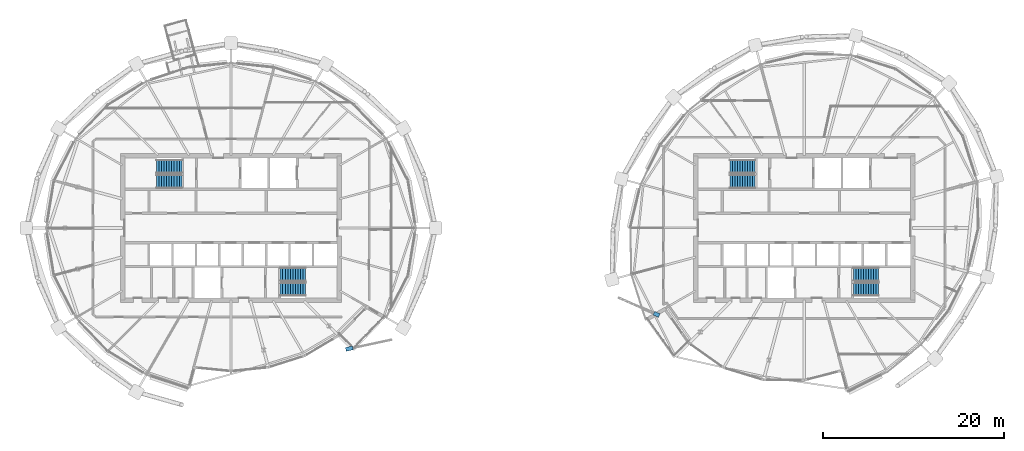
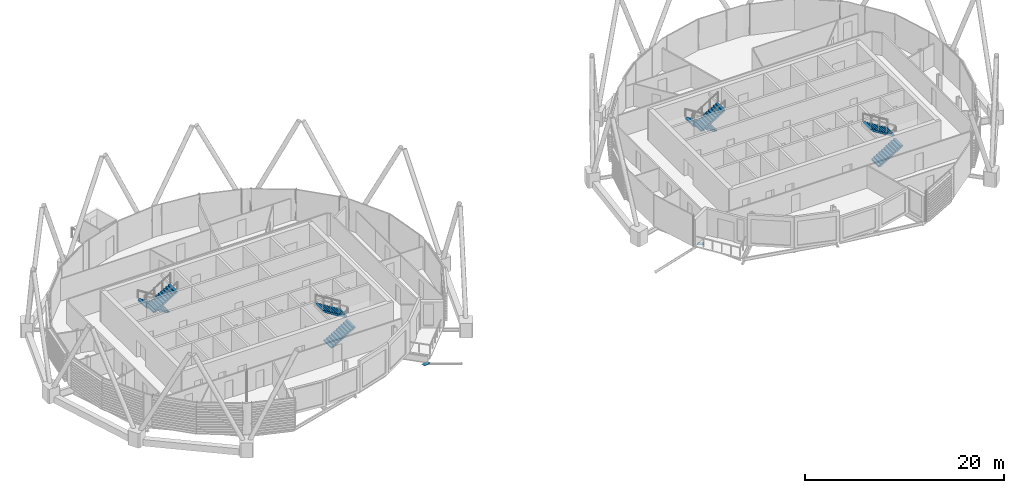
# One storey, part 25 of 32: 8 stair flights, 2 discrete accessories, 4 elements without a shape of their own.
"""IFC4 building model written with IfcOpenShell, lengths in metres."""

import ifcopenshell
import ifcopenshell.guid

model = None  # the IFC model being written
_history = None  # IfcOwnerHistory: only IFC2X3 demands one
_inside = {}  # id of a spatial element -> (the spatial element, [elements in it])
_under = {}  # id of a project, library or spatial element -> (it, [spatial elements below it])
_declared = {}  # id of a project -> (the project, [libraries it declares])
_typed = {}  # id of a type object -> (the type object, [elements of that type])
_made_of = {}  # id of a material, layer set ... -> (it, [elements and type objects made of it])


def new_model(schema):
    """Start an empty IFC model of exactly this schema.

    Asked for "IFC4X3", IfcOpenShell would pick the latest addendum, in which some entities
    have other attributes; the version numbers below select the first issue.
    IFC2X3 requires an IfcOwnerHistory on every rooted entity: one is made here for all.
    """
    global model, _history
    if schema == "IFC4X3":
        model = ifcopenshell.file(schema_version=(4, 3, 0, 0))
    else:
        model = ifcopenshell.file(schema=schema)
    _inside.clear()
    _under.clear()
    _declared.clear()
    _typed.clear()
    _made_of.clear()
    _history = None
    if model.schema == "IFC2X3":
        org = make("IfcOrganization", Name="unknown")
        user = make(
            "IfcPersonAndOrganization",
            ThePerson=make("IfcPerson", FamilyName="unknown"),
            TheOrganization=org,
        )
        app = make(
            "IfcApplication",
            ApplicationDeveloper=org,
            Version="unknown",
            ApplicationFullName="unknown",
            ApplicationIdentifier="unknown",
        )
        _history = make(
            "IfcOwnerHistory",
            OwningUser=user,
            OwningApplication=app,
            ChangeAction="ADDED",
            CreationDate=0,
        )
    return model


def make(cls, **values):
    """One entity of the class cls with the attributes given. An attribute that is None is left unset."""
    return model.create_entity(
        cls, **{name: value for name, value in values.items() if value is not None}
    )


def rooted(cls, **values):
    """An entity with a GlobalId (a new one), such as an element, a storey or a relation."""
    return make(cls, GlobalId=ifcopenshell.guid.new(), OwnerHistory=_history, **values)


def si_unit(unit_type, name, prefix=None):
    """IfcSIUnit, for example si_unit("LENGTHUNIT", "METRE", prefix="MILLI")."""
    return make("IfcSIUnit", UnitType=unit_type, Prefix=prefix, Name=name)


def assignment(units):
    """IfcUnitAssignment: the units of a project."""
    return None if units is None else make("IfcUnitAssignment", Units=units)


def point(xyz):
    """IfcCartesianPoint."""
    return None if xyz is None else make("IfcCartesianPoint", Coordinates=xyz)


def direction(xyz):
    """IfcDirection."""
    return None if xyz is None else make("IfcDirection", DirectionRatios=xyz)


def frame(location, z_axis=None, x_axis=None):
    """IfcAxis2Placement3D, a coordinate frame: its origin and axes. An axis left out is left unset."""
    return make(
        "IfcAxis2Placement3D",
        Location=point(location),
        Axis=direction(z_axis),
        RefDirection=direction(x_axis),
    )


def frame_2d(location, x_axis=None):
    """IfcAxis2Placement2D, a coordinate frame in the plane: its origin and x axis."""
    return make(
        "IfcAxis2Placement2D", Location=point(location), RefDirection=direction(x_axis)
    )


def origin():
    """The frame at (0, 0, 0) with its axes left unset."""
    return frame((0.0, 0.0, 0.0))


def origin_2d():
    """The frame at (0, 0) in the plane with its x axis left unset."""
    return frame_2d((0.0, 0.0))


def place(relative_to, where):
    """IfcLocalPlacement: puts the frame where relative to a parent placement (None: the world)."""
    return make(
        "IfcLocalPlacement", PlacementRelTo=relative_to, RelativePlacement=where
    )


def context(
    kind, dimensions, precision=None, world=None, true_north=None, identifier=None
):
    """IfcGeometricRepresentationContext, for example the 3D "Model" context."""
    return make(
        "IfcGeometricRepresentationContext",
        ContextIdentifier=identifier,
        ContextType=kind,
        CoordinateSpaceDimension=dimensions,
        Precision=precision,
        WorldCoordinateSystem=world,
        TrueNorth=true_north,
    )


def subcontext(parent, identifier, kind, view, scale=None):
    """IfcGeometricRepresentationSubContext, for example "Body" below "Model"."""
    return make(
        "IfcGeometricRepresentationSubContext",
        ContextIdentifier=identifier,
        ContextType=kind,
        ParentContext=parent,
        TargetScale=scale,
        TargetView=view,
    )


def project(units=None, contexts=None):
    """IfcProject with its units and contexts."""
    return rooted(
        "IfcProject",
        Name="project",
        RepresentationContexts=contexts,
        UnitsInContext=assignment(units),
    )


def spatial(cls, under=None, at=None, **own):
    """A site, building, storey or space (cls), placed at a placement, below another one or the project."""
    s = rooted(cls, ObjectPlacement=at, **own)
    if under is not None:
        _under.setdefault(under.id(), (under, []))[1].append(s)
    return s


def polyline(points):
    """IfcPolyline through the points."""
    return make("IfcPolyline", Points=[point(p) for p in points])


def profile(cls, at=None, kind="AREA", **sizes):
    """A parametric profile (cls). Its sizes go by their IFC names, for example OverallWidth=200.0."""
    return make(cls, ProfileType=kind, Position=at, **sizes)


def rectangle(**sizes):
    """IfcRectangleProfileDef."""
    return profile("IfcRectangleProfileDef", **sizes)


def outline(outer, holes=None, kind="AREA"):
    """IfcArbitraryClosedProfileDef: a profile drawn as a closed curve; with holes, ...WithVoids."""
    if holes is None:
        return make("IfcArbitraryClosedProfileDef", ProfileType=kind, OuterCurve=outer)
    return make(
        "IfcArbitraryProfileDefWithVoids",
        ProfileType=kind,
        OuterCurve=outer,
        InnerCurves=holes,
    )


def extrude(swept, where, along, depth):
    """IfcExtrudedAreaSolid: the profile swept, set in the frame where, extruded along a direction by depth."""
    return make(
        "IfcExtrudedAreaSolid",
        SweptArea=swept,
        Position=where,
        ExtrudedDirection=direction(along),
        Depth=depth,
    )


def shape(context_of_items, identifier, shape_type, items):
    """IfcShapeRepresentation: the items that make up one representation, for example the "Body"."""
    return make(
        "IfcShapeRepresentation",
        ContextOfItems=context_of_items,
        RepresentationIdentifier=identifier,
        RepresentationType=shape_type,
        Items=items,
    )


def material(Name=None, Category=None):
    """IfcMaterial."""
    return make("IfcMaterial", Name=Name, Category=Category)


def material_profile(
    of_material, cross_section, Name=None, Category=None, Priority=None
):
    """IfcMaterialProfile: a cross section and its material."""
    return make(
        "IfcMaterialProfile",
        Name=Name,
        Material=of_material,
        Profile=cross_section,
        Priority=Priority,
        Category=Category,
    )


def profile_set(profiles, Name=None, composite=None):
    """IfcMaterialProfileSet."""
    return make(
        "IfcMaterialProfileSet",
        Name=Name,
        MaterialProfiles=profiles,
        CompositeProfile=composite,
    )


def made_of(thing, what):
    """Note that an element or type object is made of a material, layer set ...; save() writes the relation."""
    if what is not None:
        _made_of.setdefault(what.id(), (what, []))[1].append(thing)
    return thing


def type_object(cls, material=None, **own):
    """A type object (cls), such as IfcWallType, which elements share."""
    return made_of(rooted(cls, **own), material)


def element(
    cls,
    number,
    at=None,
    inside=None,
    cuts=None,
    type_object=None,
    material=None,
    context=None,
    identifier="Body",
    shape_type=None,
    held_by="IfcProductDefinitionShape",
    body=None,
    shapes=None,
    **own,
):
    """One element of the class cls, such as IfcWall. Its Tag is "e" and its number.

    at: its placement. inside: the storey or other place that contains it. cuts: it is an
    opening in that element (IfcRelVoidsElement). A single representation is given by context,
    identifier, shape_type and body (its items); several are given by shapes. held_by: the class
    of the entity that holds the representations. save() writes the other relations.
    """
    e = rooted(cls, Tag="e%d" % number, ObjectPlacement=at, **own)
    if body is not None:
        shapes = [shape(context, identifier, shape_type, body)]
    if shapes is not None:
        e.Representation = make(held_by, Representations=shapes)
    if inside is not None:
        _inside.setdefault(inside.id(), (inside, []))[1].append(e)
    if cuts is not None:
        rooted(
            "IfcRelVoidsElement", RelatingBuildingElement=cuts, RelatedOpeningElement=e
        )
    if type_object is not None:
        _typed.setdefault(type_object.id(), (type_object, []))[1].append(e)
    return made_of(e, material)


def aggregate(whole, parts):
    """IfcRelAggregates: a whole, such as a stair, and the parts it consists of."""
    return rooted("IfcRelAggregates", RelatingObject=whole, RelatedObjects=parts)


def save(model, path):
    """Write the relations noted so far, then the file.

    IfcRelAggregates (storeys below a building ...), IfcRelContainedInSpatialStructure (elements
    in a storey), IfcRelDefinesByType, IfcRelAssociatesMaterial and IfcRelDeclares: one each for
    every whole, place, type object, material and project.
    """
    for whole, parts in _under.values():
        aggregate(whole, parts)
    for where, things in _inside.values():
        rooted(
            "IfcRelContainedInSpatialStructure",
            RelatedElements=things,
            RelatingStructure=where,
        )
    for kind, things in _typed.values():
        rooted("IfcRelDefinesByType", RelatedObjects=things, RelatingType=kind)
    for what, things in _made_of.values():
        rooted("IfcRelAssociatesMaterial", RelatedObjects=things, RelatingMaterial=what)
    for by, libraries in _declared.values():
        rooted("IfcRelDeclares", RelatingContext=by, RelatedDefinitions=libraries)
    model.write(path)


model = new_model("IFC4")

# Units and contexts
model_context = context("Model", 3, precision=1e-05, world=origin(), true_north=direction((0.0, 1.0)))
body_context = subcontext(model_context, "Body", "Model", "MODEL_VIEW")
ifc_project = project(units=[si_unit("LENGTHUNIT", "METRE"), si_unit("AREAUNIT", "SQUARE_METRE"), si_unit("VOLUMEUNIT", "CUBIC_METRE"), si_unit("PLANEANGLEUNIT", "RADIAN"), si_unit("MASSUNIT", "GRAM", prefix="KILO")], contexts=[model_context])

# Site, building, storey
site_placement = place(None, origin())
site = spatial("IfcSite", under=ifc_project, at=site_placement, CompositionType="ELEMENT")
building_placement = place(site_placement, origin())
building = spatial("IfcBuilding", under=site, at=building_placement, Name="Rimbun Link Towers", CompositionType="ELEMENT")
storey_placement = place(building_placement, frame((0.0, 0.0, 233.300048828125)))
storey = spatial("IfcBuildingStorey", under=building, at=storey_placement, Name="L57", CompositionType="ELEMENT", Elevation=233.300048828125)

# Stair, stair flights
ifc_material_1 = material(Name="Concrete C40/50", Category="concrete")
stair_type = type_object("IfcStairType", Name="Exit stair 3800 rise", PredefinedType="HALF_TURN_STAIR", material=ifc_material_1)
stair_1_placement = place(storey_placement, origin())
stair_1 = element("IfcStair", 1, at=stair_1_placement, inside=storey, type_object=stair_type, Name="L57 EXIT STAIR A", PredefinedType="HALF_TURN_STAIR")
ifc_material_2 = material(Name="Concrete C40/50", Category="concrete")
stair_flight_type = type_object("IfcStairFlightType", Name="Exit stair flight 3800 rise", PredefinedType="STRAIGHT", material=ifc_material_2)
stair_flight_1_placement = place(storey_placement, frame((-37.199951171875, 6.800048828125, 0.0), z_axis=(0.0, 0.0, 1.0), x_axis=(-1.0, 0.0, 0.0)))
stair_flight_1 = element("IfcStairFlight", 2, at=stair_flight_1_placement, type_object=stair_flight_type, Name="ST1 flight 1", NumberOfRisers=11, NumberOfTreads=10, PredefinedType="STRAIGHT", RiserHeight=0.172727273, TreadLength=0.28, context=body_context, shape_type="SweptSolid", body=[
    extrude(outline(polyline([(0.0, 0.0), (0.0, 0.172607421875), (0.280029296875, 0.172607421875), (0.280029296875, 0.345458984375), (0.56005859375, 0.345458984375), (0.56005859375, 0.51806640625), (0.840087890625, 0.51806640625), (0.840087890625, 0.69091796875), (1.1201171875, 0.69091796875), (1.1201171875, 0.863525390625), (1.39990234375, 0.863525390625), (1.39990234375, 1.036376953125), (1.679931640625, 1.036376953125), (1.679931640625, 1.208984375), (1.9599609375, 1.208984375), (1.9599609375, 1.3818359375), (2.239990234375, 1.3818359375), (2.239990234375, 1.554443359375), (2.52001953125, 1.554443359375), (2.52001953125, 1.727294921875), (2.800048828125, 1.727294921875), (2.800048828125, 1.89990234375), (2.800048828125, 1.551025390625), (0.280029296875, 0.0), (0.0, 0.0)])), frame((0.0, 0.75, 0.0), z_axis=(0.0, -1.0, 0.0), x_axis=(1.0, 0.0, 0.0)), (0.0, 0.0, 1.0), 1.5),
])
stair_flight_2_placement = place(storey_placement, frame((-40.0, 5.14990234375, 1.89990234375), z_axis=(0.0, 0.0, 1.0), x_axis=(1.0, 0.0, 0.0)))
stair_flight_2 = element("IfcStairFlight", 3, at=stair_flight_2_placement, type_object=stair_flight_type, Name="ST1 flight 2", NumberOfRisers=11, NumberOfTreads=10, PredefinedType="STRAIGHT", RiserHeight=0.172727273, TreadLength=0.28, context=body_context, shape_type="SweptSolid", body=[
    extrude(outline(polyline([(0.0, 0.0), (0.0, 0.172607421875), (0.280029296875, 0.172607421875), (0.280029296875, 0.345458984375), (0.56005859375, 0.345458984375), (0.56005859375, 0.51806640625), (0.840087890625, 0.51806640625), (0.840087890625, 0.69091796875), (1.1201171875, 0.69091796875), (1.1201171875, 0.863525390625), (1.39990234375, 0.863525390625), (1.39990234375, 1.036376953125), (1.679931640625, 1.036376953125), (1.679931640625, 1.208984375), (1.9599609375, 1.208984375), (1.9599609375, 1.3818359375), (2.239990234375, 1.3818359375), (2.239990234375, 1.554443359375), (2.52001953125, 1.554443359375), (2.52001953125, 1.727294921875), (2.800048828125, 1.727294921875), (2.800048828125, 1.89990234375), (2.800048828125, 1.551025390625), (0.280029296875, 0.0), (0.0, 0.0)])), frame((0.0, 0.75, 0.0), z_axis=(0.0, -1.0, 0.0), x_axis=(1.0, 0.0, 0.0)), (0.0, 0.0, 1.0), 1.5),
])
aggregate(stair_1, [stair_flight_1, stair_flight_2])

stair_2_placement = place(storey_placement, origin())
stair_2 = element("IfcStair", 4, at=stair_2_placement, inside=storey, type_object=stair_type, Name="L57 EXIT STAIR B", PredefinedType="HALF_TURN_STAIR")
stair_flight_3_placement = place(storey_placement, frame((-26.300048828125, -6.800048828125, 0.0), z_axis=(0.0, 0.0, 1.0), x_axis=(1.0, 0.0, 0.0)))
stair_flight_3 = element("IfcStairFlight", 5, at=stair_flight_3_placement, type_object=stair_flight_type, Name="ST2 flight 1", NumberOfRisers=11, NumberOfTreads=10, PredefinedType="STRAIGHT", RiserHeight=0.172727273, TreadLength=0.28, context=body_context, shape_type="SweptSolid", body=[
    extrude(outline(polyline([(0.0, 0.0), (0.0, 0.172607421875), (0.280029296875, 0.172607421875), (0.280029296875, 0.345458984375), (0.56005859375, 0.345458984375), (0.56005859375, 0.51806640625), (0.840087890625, 0.51806640625), (0.840087890625, 0.69091796875), (1.1201171875, 0.69091796875), (1.1201171875, 0.863525390625), (1.39990234375, 0.863525390625), (1.39990234375, 1.036376953125), (1.679931640625, 1.036376953125), (1.679931640625, 1.208984375), (1.9599609375, 1.208984375), (1.9599609375, 1.3818359375), (2.239990234375, 1.3818359375), (2.239990234375, 1.554443359375), (2.52001953125, 1.554443359375), (2.52001953125, 1.727294921875), (2.800048828125, 1.727294921875), (2.800048828125, 1.89990234375), (2.800048828125, 1.551025390625), (0.280029296875, 0.0), (0.0, 0.0)])), frame((0.0, 0.75, 0.0), z_axis=(0.0, -1.0, 0.0), x_axis=(1.0, 0.0, 0.0)), (0.0, 0.0, 1.0), 1.5),
])
stair_flight_4_placement = place(storey_placement, frame((-23.5, -5.14990234375, 1.89990234375), z_axis=(0.0, 0.0, 1.0), x_axis=(-1.0, 0.0, 0.0)))
stair_flight_4 = element("IfcStairFlight", 6, at=stair_flight_4_placement, type_object=stair_flight_type, Name="ST2 flight 2", NumberOfRisers=11, NumberOfTreads=10, PredefinedType="STRAIGHT", RiserHeight=0.172727273, TreadLength=0.28, context=body_context, shape_type="SweptSolid", body=[
    extrude(outline(polyline([(0.0, 0.0), (0.0, 0.172607421875), (0.280029296875, 0.172607421875), (0.280029296875, 0.345458984375), (0.56005859375, 0.345458984375), (0.56005859375, 0.51806640625), (0.840087890625, 0.51806640625), (0.840087890625, 0.69091796875), (1.1201171875, 0.69091796875), (1.1201171875, 0.863525390625), (1.39990234375, 0.863525390625), (1.39990234375, 1.036376953125), (1.679931640625, 1.036376953125), (1.679931640625, 1.208984375), (1.9599609375, 1.208984375), (1.9599609375, 1.3818359375), (2.239990234375, 1.3818359375), (2.239990234375, 1.554443359375), (2.52001953125, 1.554443359375), (2.52001953125, 1.727294921875), (2.800048828125, 1.727294921875), (2.800048828125, 1.89990234375), (2.800048828125, 1.551025390625), (0.280029296875, 0.0), (0.0, 0.0)])), frame((0.0, 0.75, 0.0), z_axis=(0.0, -1.0, 0.0), x_axis=(1.0, 0.0, 0.0)), (0.0, 0.0, 1.0), 1.5),
])
aggregate(stair_2, [stair_flight_3, stair_flight_4])

stair_3_placement = place(storey_placement, origin())
stair_3 = element("IfcStair", 7, at=stair_3_placement, inside=storey, type_object=stair_type, Name="L57 EXIT STAIR A", PredefinedType="HALF_TURN_STAIR")
stair_flight_5_placement = place(storey_placement, frame((26.300048828125, 6.800048828125, 0.0), z_axis=(0.0, 0.0, 1.0), x_axis=(-1.0, 0.0, 0.0)))
stair_flight_5 = element("IfcStairFlight", 8, at=stair_flight_5_placement, type_object=stair_flight_type, Name="ST3 flight 1", NumberOfRisers=11, NumberOfTreads=10, PredefinedType="STRAIGHT", RiserHeight=0.172727273, TreadLength=0.28, context=body_context, shape_type="SweptSolid", body=[
    extrude(outline(polyline([(0.0, 0.0), (0.0, 0.172607421875), (0.280029296875, 0.172607421875), (0.280029296875, 0.345458984375), (0.56005859375, 0.345458984375), (0.56005859375, 0.51806640625), (0.840087890625, 0.51806640625), (0.840087890625, 0.69091796875), (1.1201171875, 0.69091796875), (1.1201171875, 0.863525390625), (1.39990234375, 0.863525390625), (1.39990234375, 1.036376953125), (1.679931640625, 1.036376953125), (1.679931640625, 1.208984375), (1.9599609375, 1.208984375), (1.9599609375, 1.3818359375), (2.239990234375, 1.3818359375), (2.239990234375, 1.554443359375), (2.52001953125, 1.554443359375), (2.52001953125, 1.727294921875), (2.800048828125, 1.727294921875), (2.800048828125, 1.89990234375), (2.800048828125, 1.551025390625), (0.280029296875, 0.0), (0.0, 0.0)])), frame((0.0, 0.75, 0.0), z_axis=(0.0, -1.0, 0.0), x_axis=(1.0, 0.0, 0.0)), (0.0, 0.0, 1.0), 1.5),
])
stair_flight_6_placement = place(storey_placement, frame((23.5, 5.14990234375, 1.89990234375), z_axis=(0.0, 0.0, 1.0), x_axis=(1.0, 0.0, 0.0)))
stair_flight_6 = element("IfcStairFlight", 9, at=stair_flight_6_placement, type_object=stair_flight_type, Name="ST3 flight 2", NumberOfRisers=11, NumberOfTreads=10, PredefinedType="STRAIGHT", RiserHeight=0.172727273, TreadLength=0.28, context=body_context, shape_type="SweptSolid", body=[
    extrude(outline(polyline([(0.0, 0.0), (0.0, 0.172607421875), (0.280029296875, 0.172607421875), (0.280029296875, 0.345458984375), (0.56005859375, 0.345458984375), (0.56005859375, 0.51806640625), (0.840087890625, 0.51806640625), (0.840087890625, 0.69091796875), (1.1201171875, 0.69091796875), (1.1201171875, 0.863525390625), (1.39990234375, 0.863525390625), (1.39990234375, 1.036376953125), (1.679931640625, 1.036376953125), (1.679931640625, 1.208984375), (1.9599609375, 1.208984375), (1.9599609375, 1.3818359375), (2.239990234375, 1.3818359375), (2.239990234375, 1.554443359375), (2.52001953125, 1.554443359375), (2.52001953125, 1.727294921875), (2.800048828125, 1.727294921875), (2.800048828125, 1.89990234375), (2.800048828125, 1.551025390625), (0.280029296875, 0.0), (0.0, 0.0)])), frame((0.0, 0.75, 0.0), z_axis=(0.0, -1.0, 0.0), x_axis=(1.0, 0.0, 0.0)), (0.0, 0.0, 1.0), 1.5),
])
aggregate(stair_3, [stair_flight_5, stair_flight_6])

stair_4_placement = place(storey_placement, origin())
stair_4 = element("IfcStair", 10, at=stair_4_placement, inside=storey, type_object=stair_type, Name="L57 EXIT STAIR B", PredefinedType="HALF_TURN_STAIR")
stair_flight_7_placement = place(storey_placement, frame((37.199951171875, -6.800048828125, 0.0), z_axis=(0.0, 0.0, 1.0), x_axis=(1.0, 0.0, 0.0)))
stair_flight_7 = element("IfcStairFlight", 11, at=stair_flight_7_placement, type_object=stair_flight_type, Name="ST4 flight 1", NumberOfRisers=11, NumberOfTreads=10, PredefinedType="STRAIGHT", RiserHeight=0.172727273, TreadLength=0.28, context=body_context, shape_type="SweptSolid", body=[
    extrude(outline(polyline([(0.0, 0.0), (0.0, 0.172607421875), (0.280029296875, 0.172607421875), (0.280029296875, 0.345458984375), (0.56005859375, 0.345458984375), (0.56005859375, 0.51806640625), (0.840087890625, 0.51806640625), (0.840087890625, 0.69091796875), (1.1201171875, 0.69091796875), (1.1201171875, 0.863525390625), (1.39990234375, 0.863525390625), (1.39990234375, 1.036376953125), (1.679931640625, 1.036376953125), (1.679931640625, 1.208984375), (1.9599609375, 1.208984375), (1.9599609375, 1.3818359375), (2.239990234375, 1.3818359375), (2.239990234375, 1.554443359375), (2.52001953125, 1.554443359375), (2.52001953125, 1.727294921875), (2.800048828125, 1.727294921875), (2.800048828125, 1.89990234375), (2.800048828125, 1.551025390625), (0.280029296875, 0.0), (0.0, 0.0)])), frame((0.0, 0.75, 0.0), z_axis=(0.0, -1.0, 0.0), x_axis=(1.0, 0.0, 0.0)), (0.0, 0.0, 1.0), 1.5),
])
stair_flight_8_placement = place(storey_placement, frame((40.0, -5.14990234375, 1.89990234375), z_axis=(0.0, 0.0, 1.0), x_axis=(-1.0, 0.0, 0.0)))
stair_flight_8 = element("IfcStairFlight", 12, at=stair_flight_8_placement, type_object=stair_flight_type, Name="ST4 flight 2", NumberOfRisers=11, NumberOfTreads=10, PredefinedType="STRAIGHT", RiserHeight=0.172727273, TreadLength=0.28, context=body_context, shape_type="SweptSolid", body=[
    extrude(outline(polyline([(0.0, 0.0), (0.0, 0.172607421875), (0.280029296875, 0.172607421875), (0.280029296875, 0.345458984375), (0.56005859375, 0.345458984375), (0.56005859375, 0.51806640625), (0.840087890625, 0.51806640625), (0.840087890625, 0.69091796875), (1.1201171875, 0.69091796875), (1.1201171875, 0.863525390625), (1.39990234375, 0.863525390625), (1.39990234375, 1.036376953125), (1.679931640625, 1.036376953125), (1.679931640625, 1.208984375), (1.9599609375, 1.208984375), (1.9599609375, 1.3818359375), (2.239990234375, 1.3818359375), (2.239990234375, 1.554443359375), (2.52001953125, 1.554443359375), (2.52001953125, 1.727294921875), (2.800048828125, 1.727294921875), (2.800048828125, 1.89990234375), (2.800048828125, 1.551025390625), (0.280029296875, 0.0), (0.0, 0.0)])), frame((0.0, 0.75, 0.0), z_axis=(0.0, -1.0, 0.0), x_axis=(1.0, 0.0, 0.0)), (0.0, 0.0, 1.0), 1.5),
])
aggregate(stair_4, [stair_flight_7, stair_flight_8])

# Discrete accessories
ifc_material_3 = material(Name="Steel S355J2H", Category="steel")
ifc_material_profile = material_profile(ifc_material_3, rectangle(XDim=0.43310546875, YDim=0.43310546875, at=origin_2d()), Name="PL 433x433")
ifc_profile_set = profile_set([ifc_material_profile], Name="Steel S355J2H")
discrete_accessory_type = type_object("IfcDiscreteAccessoryType", Name="Link head end plate 433X20", PredefinedType="BRACKET", material=ifc_profile_set)
discrete_accessory_1_placement = place(storey_placement, frame((0.0, 0.0, -1.000732421875)))
element("IfcDiscreteAccessory", 13, at=discrete_accessory_1_placement, inside=storey, type_object=discrete_accessory_type, Name="Link head end plate T1 L57 21", PredefinedType="BRACKET", context=body_context, shape_type="SweptSolid", body=[
    extrude(outline(polyline([(-18.990478515625, -13.664794921875), (-18.206787109375, -13.4970703125), (-18.297607421875, -13.073486328125), (-19.081298828125, -13.241455078125), (-18.990478515625, -13.664794921875)])), origin(), (0.0, 0.0, 1.0), 0.02001953125),
])
discrete_accessory_2_placement = place(storey_placement, frame((0.0, 0.0, -0.51513671875)))
element("IfcDiscreteAccessory", 14, at=discrete_accessory_2_placement, inside=storey, type_object=discrete_accessory_type, Name="Link head end plate T2 L57 11", PredefinedType="BRACKET", context=body_context, shape_type="SweptSolid", body=[
    extrude(outline(polyline([(15.769775390625, -9.5068359375), (15.1806640625, -9.24609375), (15.005615234375, -9.64208984375), (15.594482421875, -9.90283203125), (15.769775390625, -9.5068359375)])), origin(), (0.0, 0.0, 1.0), 0.02001953125),
])

save(model, "model.ifc")
